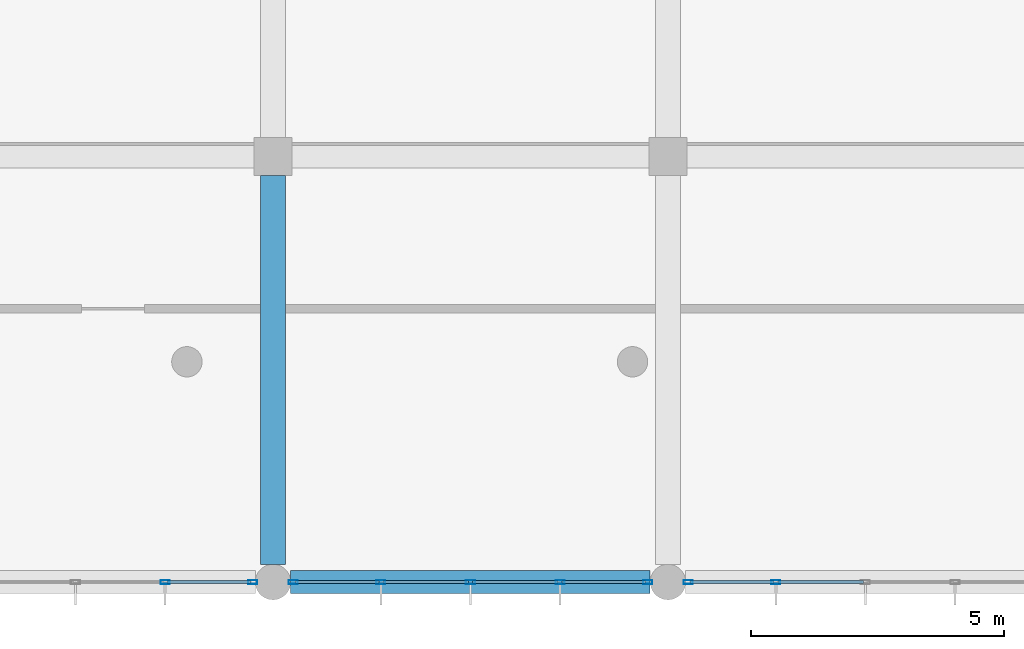
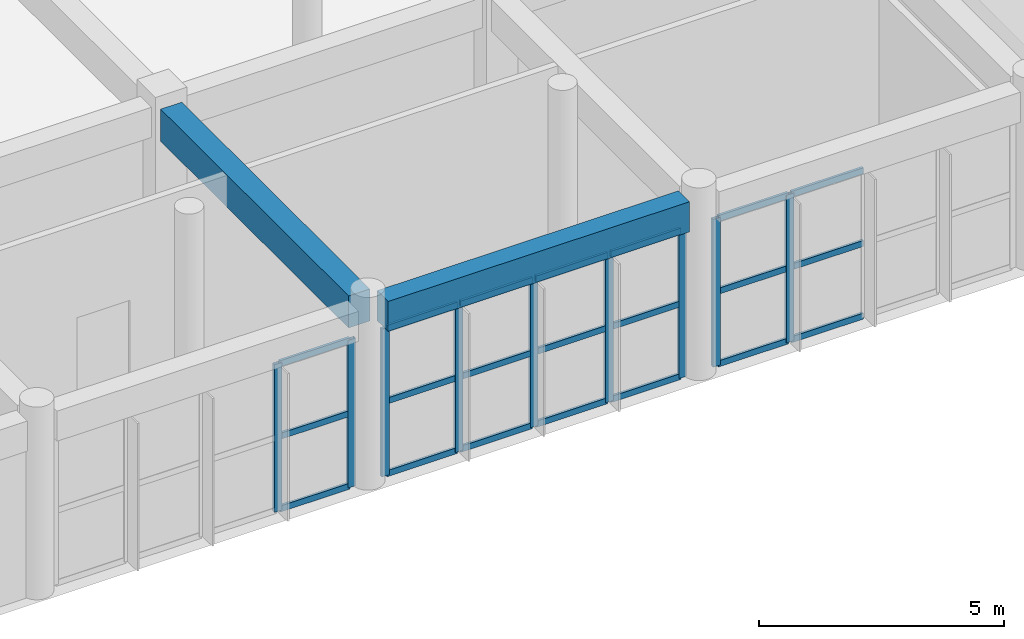
# One storey, part 14 of 175: 30 members, 2 beams, 3 elements without a shape of their own.
"""IFC4 building model written with IfcOpenShell, lengths in metres."""

from ifc_helpers import new_model, si_unit, direction, frame, origin, origin_2d, place, context, subcontext, project, spatial, rectangle, hollow_rectangle, extrude, material, layer, layer_set, material_profile, profile_set, type_object, element, aggregate, save


model = new_model("IFC4")

# Units and contexts
model_context = context("Model", 3, precision=1e-05, world=origin(), true_north=direction((0.0, 1.0)))
body_context = subcontext(model_context, "Body", "Model", "MODEL_VIEW")
ifc_project = project(units=[si_unit("LENGTHUNIT", "METRE"), si_unit("AREAUNIT", "SQUARE_METRE"), si_unit("VOLUMEUNIT", "CUBIC_METRE"), si_unit("PLANEANGLEUNIT", "RADIAN"), si_unit("MASSUNIT", "GRAM", prefix="KILO")], contexts=[model_context])

# Site, building, storey
site_placement = place(None, origin())
site = spatial("IfcSite", under=ifc_project, at=site_placement, CompositionType="ELEMENT")
building_placement = place(site_placement, origin())
building = spatial("IfcBuilding", under=site, at=building_placement, Name="Zizhar Promenade General Hospital", CompositionType="ELEMENT")
storey_placement = place(building_placement, frame((0.0, 0.0, 4.800048828125)))
storey = spatial("IfcBuildingStorey", under=building, at=storey_placement, Name="L01", CompositionType="ELEMENT", Elevation=4.800048828125)

# Beams
ifc_material_1 = material(Name="Concrete C35/45", Category="concrete")
ifc_material_profile_1 = material_profile(ifc_material_1, rectangle(XDim=0.449951171875, YDim=0.75, at=origin_2d()))
ifc_profile_set_1 = profile_set([ifc_material_profile_1], Name="Concrete C35/45")
beam_type_1 = type_object("IfcBeamType", Name="BM-RC-450x750", PredefinedType="BEAM", material=ifc_profile_set_1)
beam_1_placement = place(storey_placement, frame((31.550048828125, 0.0, 4.094970703125), z_axis=(1.0, 0.0, 0.0), x_axis=(0.0, 1.0, 0.0)))
element("IfcBeam", 1, at=beam_1_placement, inside=storey, type_object=beam_type_1, Name="Grid Beam X L01 (4-0)", PredefinedType="BEAM", context=body_context, shape_type="SweptSolid", body=[
    extrude(rectangle(XDim=0.449951171875, YDim=0.75, at=origin_2d()), origin(), (0.0, 0.0, 1.0), 7.099853515625),
])
ifc_material_2 = material(Name="Concrete C35/45", Category="concrete")
ifc_material_profile_2 = material_profile(ifc_material_2, rectangle(XDim=0.5, YDim=0.800048828125, at=origin_2d()))
ifc_profile_set_2 = profile_set([ifc_material_profile_2], Name="Concrete C35/45")
beam_type_2 = type_object("IfcBeamType", Name="BM-RC-500x800", PredefinedType="BEAM", material=ifc_profile_set_2)
beam_2_placement = place(storey_placement, frame((31.199951171875, 0.35009765625, 4.070068359375), z_axis=(0.0, 1.0, 0.0), x_axis=(-1.0, 0.0, 0.0)))
element("IfcBeam", 2, at=beam_2_placement, inside=storey, type_object=beam_type_2, Name="Grid Beam Y L01 (4-0)", PredefinedType="BEAM", context=body_context, shape_type="SweptSolid", body=[
    extrude(rectangle(XDim=0.5, YDim=0.800048828125, at=origin_2d()), origin(), (0.0, 0.0, 1.0), 7.6748046875),
])

# Curtain wall, members
ifc_material_3 = material(Name="Anodised aluminium 6063-T6 and low-E glass", Category="aluminium")
ifc_layer = layer(ifc_material_3, 0.159912109375)
ifc_layer_set = layer_set([ifc_layer], Name="Anodised aluminium 6063-T6 and low-E glass")
curtain_wall_type = type_object("IfcCurtainWallType", Name="CW-DT-MOD1", PredefinedType="NOTDEFINED", material=ifc_layer_set)
curtain_wall_1_placement = place(storey_placement, origin())
curtain_wall_1 = element("IfcCurtainWall", 3, at=curtain_wall_1_placement, inside=storey, type_object=curtain_wall_type, Name="Riverfront Clinical Curtain Wall L01-2", PredefinedType="NOTDEFINED")
ifc_material_4 = material(Name="Anodised aluminium 6063-T6", Category="aluminium")
ifc_material_profile_3 = material_profile(ifc_material_4, hollow_rectangle(XDim=0.080078125, YDim=0.179931640625, WallThickness=0.0048828125, at=origin_2d()))
ifc_profile_set_3 = profile_set([ifc_material_profile_3], Name="Anodised aluminium 6063-T6")
member_type_1 = type_object("IfcMemberType", Name="CWM-ALU-180x80", PredefinedType="MULLION", material=ifc_profile_set_3)
member_1_placement = place(storey_placement, frame((30.800048828125, 0.0, 0.0), z_axis=(0.0, 0.0, 1.0), x_axis=(0.0, -1.0, 0.0)))
member_1 = element("IfcMember", 4, at=member_1_placement, type_object=member_type_1, Name="CW-07 mullion 1", PredefinedType="MULLION", context=body_context, shape_type="SweptSolid", body=[
    extrude(hollow_rectangle(XDim=0.080078125, YDim=0.179931640625, WallThickness=0.0048828125, at=origin_2d()), origin(), (0.0, 0.0, 1.0), 3.679931640625),
])
member_2_placement = place(storey_placement, frame((29.070068359375, 0.0, 0.0), z_axis=(0.0, 0.0, 1.0), x_axis=(0.0, -1.0, 0.0)))
member_2 = element("IfcMember", 5, at=member_2_placement, type_object=member_type_1, Name="CW-07 mullion 2", PredefinedType="MULLION", context=body_context, shape_type="SweptSolid", body=[
    extrude(hollow_rectangle(XDim=0.080078125, YDim=0.179931640625, WallThickness=0.0048828125, at=origin_2d()), origin(), (0.0, 0.0, 1.0), 3.679931640625),
])

curtain_wall_2_placement = place(storey_placement, origin())
curtain_wall_2 = element("IfcCurtainWall", 6, at=curtain_wall_2_placement, inside=storey, type_object=curtain_wall_type, Name="Riverfront Clinical Curtain Wall L01-3", PredefinedType="NOTDEFINED")
member_3_placement = place(storey_placement, frame((38.60009765625, 0.0, 0.0), z_axis=(0.0, 0.0, 1.0), x_axis=(0.0, -1.0, 0.0)))
member_3 = element("IfcMember", 7, at=member_3_placement, type_object=member_type_1, Name="CW-07 mullion 1", PredefinedType="MULLION", context=body_context, shape_type="SweptSolid", body=[
    extrude(hollow_rectangle(XDim=0.080078125, YDim=0.179931640625, WallThickness=0.0048828125, at=origin_2d()), origin(), (0.0, 0.0, 1.0), 3.679931640625),
])
member_4_placement = place(storey_placement, frame((36.8701171875, 0.0, 0.0), z_axis=(0.0, 0.0, 1.0), x_axis=(0.0, -1.0, 0.0)))
member_4 = element("IfcMember", 8, at=member_4_placement, type_object=member_type_1, Name="CW-07 mullion 2", PredefinedType="MULLION", context=body_context, shape_type="SweptSolid", body=[
    extrude(hollow_rectangle(XDim=0.080078125, YDim=0.179931640625, WallThickness=0.0048828125, at=origin_2d()), origin(), (0.0, 0.0, 1.0), 3.679931640625),
])
member_5_placement = place(storey_placement, frame((35.10009765625, 0.0, 0.0), z_axis=(0.0, 0.0, 1.0), x_axis=(0.0, -1.0, 0.0)))
member_5 = element("IfcMember", 9, at=member_5_placement, type_object=member_type_1, Name="CW-07 mullion 3", PredefinedType="MULLION", context=body_context, shape_type="SweptSolid", body=[
    extrude(hollow_rectangle(XDim=0.080078125, YDim=0.179931640625, WallThickness=0.0048828125, at=origin_2d()), origin(), (0.0, 0.0, 1.0), 3.679931640625),
])
member_6_placement = place(storey_placement, frame((33.330078125, 0.0, 0.0), z_axis=(0.0, 0.0, 1.0), x_axis=(0.0, -1.0, 0.0)))
member_6 = element("IfcMember", 10, at=member_6_placement, type_object=member_type_1, Name="CW-07 mullion 4", PredefinedType="MULLION", context=body_context, shape_type="SweptSolid", body=[
    extrude(hollow_rectangle(XDim=0.080078125, YDim=0.179931640625, WallThickness=0.0048828125, at=origin_2d()), origin(), (0.0, 0.0, 1.0), 3.679931640625),
])
member_7_placement = place(storey_placement, frame((31.60009765625, 0.0, 0.0), z_axis=(0.0, 0.0, 1.0), x_axis=(0.0, -1.0, 0.0)))
member_7 = element("IfcMember", 11, at=member_7_placement, type_object=member_type_1, Name="CW-07 mullion 5", PredefinedType="MULLION", context=body_context, shape_type="SweptSolid", body=[
    extrude(hollow_rectangle(XDim=0.080078125, YDim=0.179931640625, WallThickness=0.0048828125, at=origin_2d()), origin(), (0.0, 0.0, 1.0), 3.679931640625),
])

curtain_wall_3_placement = place(storey_placement, origin())
curtain_wall_3 = element("IfcCurtainWall", 12, at=curtain_wall_3_placement, inside=storey, type_object=curtain_wall_type, Name="Riverfront Clinical Curtain Wall L01-4", PredefinedType="NOTDEFINED")
member_8_placement = place(storey_placement, frame((41.1298828125, 0.0, 0.0), z_axis=(0.0, 0.0, 1.0), x_axis=(0.0, -1.0, 0.0)))
member_8 = element("IfcMember", 13, at=member_8_placement, type_object=member_type_1, Name="CW-07 mullion 4", PredefinedType="MULLION", context=body_context, shape_type="SweptSolid", body=[
    extrude(hollow_rectangle(XDim=0.080078125, YDim=0.179931640625, WallThickness=0.0048828125, at=origin_2d()), origin(), (0.0, 0.0, 1.0), 3.679931640625),
])
member_9_placement = place(storey_placement, frame((39.39990234375, 0.0, 0.0), z_axis=(0.0, 0.0, 1.0), x_axis=(0.0, -1.0, 0.0)))
member_9 = element("IfcMember", 14, at=member_9_placement, type_object=member_type_1, Name="CW-07 mullion 5", PredefinedType="MULLION", context=body_context, shape_type="SweptSolid", body=[
    extrude(hollow_rectangle(XDim=0.080078125, YDim=0.179931640625, WallThickness=0.0048828125, at=origin_2d()), origin(), (0.0, 0.0, 1.0), 3.679931640625),
])

# Member
ifc_material_5 = material(Name="Anodised aluminium 6063-T6", Category="aluminium")
ifc_material_profile_4 = material_profile(ifc_material_5, hollow_rectangle(XDim=0.06005859375, YDim=0.14990234375, WallThickness=0.00390625, at=origin_2d()))
ifc_profile_set_4 = profile_set([ifc_material_profile_4], Name="Anodised aluminium 6063-T6")
member_type_2 = type_object("IfcMemberType", Name="CWT-ALU-150x60", PredefinedType="USERDEFINED", material=ifc_profile_set_4)
member_10_placement = place(storey_placement, frame((30.760009765625, 0.0, 0.030029296875), z_axis=(-1.0, 0.0, 0.0), x_axis=(0.0, -1.0, 0.0)))
member_10 = element("IfcMember", 15, at=member_10_placement, type_object=member_type_2, Name="CW-07 transom 1.1", ObjectType="TRANSOM", PredefinedType="USERDEFINED", context=body_context, shape_type="SweptSolid", body=[
    extrude(hollow_rectangle(XDim=0.06005859375, YDim=0.14990234375, WallThickness=0.00390625, at=origin_2d()), origin(), (0.0, 0.0, 1.0), 1.64990234375),
])

member_11_placement = place(storey_placement, frame((30.760009765625, 0.0, 1.83984375), z_axis=(-1.0, 0.0, 0.0), x_axis=(0.0, -1.0, 0.0)))
member_11 = element("IfcMember", 16, at=member_11_placement, type_object=member_type_2, Name="CW-07 transom 1.2", ObjectType="TRANSOM", PredefinedType="USERDEFINED", context=body_context, shape_type="SweptSolid", body=[
    extrude(hollow_rectangle(XDim=0.06005859375, YDim=0.14990234375, WallThickness=0.00390625, at=origin_2d()), origin(), (0.0, 0.0, 1.0), 1.64990234375),
])

member_12_placement = place(storey_placement, frame((30.760009765625, 0.0, 3.64990234375), z_axis=(-1.0, 0.0, 0.0), x_axis=(0.0, -1.0, 0.0)))
member_12 = element("IfcMember", 17, at=member_12_placement, type_object=member_type_2, Name="CW-07 transom 1.3", ObjectType="TRANSOM", PredefinedType="USERDEFINED", context=body_context, shape_type="SweptSolid", body=[
    extrude(hollow_rectangle(XDim=0.06005859375, YDim=0.14990234375, WallThickness=0.00390625, at=origin_2d()), origin(), (0.0, 0.0, 1.0), 1.64990234375),
])

aggregate(curtain_wall_1, [member_1, member_2, member_10, member_11, member_12])

member_13_placement = place(storey_placement, frame((38.56005859375, 0.0, 0.030029296875), z_axis=(-1.0, 0.0, 0.0), x_axis=(0.0, -1.0, 0.0)))
member_13 = element("IfcMember", 18, at=member_13_placement, type_object=member_type_2, Name="CW-07 transom 1.1", ObjectType="TRANSOM", PredefinedType="USERDEFINED", context=body_context, shape_type="SweptSolid", body=[
    extrude(hollow_rectangle(XDim=0.06005859375, YDim=0.14990234375, WallThickness=0.00390625, at=origin_2d()), origin(), (0.0, 0.0, 1.0), 1.650146484375),
])

member_14_placement = place(storey_placement, frame((38.56005859375, 0.0, 1.83984375), z_axis=(-1.0, 0.0, 0.0), x_axis=(0.0, -1.0, 0.0)))
member_14 = element("IfcMember", 19, at=member_14_placement, type_object=member_type_2, Name="CW-07 transom 1.2", ObjectType="TRANSOM", PredefinedType="USERDEFINED", context=body_context, shape_type="SweptSolid", body=[
    extrude(hollow_rectangle(XDim=0.06005859375, YDim=0.14990234375, WallThickness=0.00390625, at=origin_2d()), origin(), (0.0, 0.0, 1.0), 1.650146484375),
])

member_15_placement = place(storey_placement, frame((38.56005859375, 0.0, 3.64990234375), z_axis=(-1.0, 0.0, 0.0), x_axis=(0.0, -1.0, 0.0)))
member_15 = element("IfcMember", 20, at=member_15_placement, type_object=member_type_2, Name="CW-07 transom 1.3", ObjectType="TRANSOM", PredefinedType="USERDEFINED", context=body_context, shape_type="SweptSolid", body=[
    extrude(hollow_rectangle(XDim=0.06005859375, YDim=0.14990234375, WallThickness=0.00390625, at=origin_2d()), origin(), (0.0, 0.0, 1.0), 1.650146484375),
])

member_16_placement = place(storey_placement, frame((36.830078125, 0.0, 0.030029296875), z_axis=(-1.0, 0.0, 0.0), x_axis=(0.0, -1.0, 0.0)))
member_16 = element("IfcMember", 21, at=member_16_placement, type_object=member_type_2, Name="CW-07 transom 2.1", ObjectType="TRANSOM", PredefinedType="USERDEFINED", context=body_context, shape_type="SweptSolid", body=[
    extrude(hollow_rectangle(XDim=0.06005859375, YDim=0.14990234375, WallThickness=0.00390625, at=origin_2d()), origin(), (0.0, 0.0, 1.0), 1.690185546875),
])

member_17_placement = place(storey_placement, frame((36.830078125, 0.0, 1.83984375), z_axis=(-1.0, 0.0, 0.0), x_axis=(0.0, -1.0, 0.0)))
member_17 = element("IfcMember", 22, at=member_17_placement, type_object=member_type_2, Name="CW-07 transom 2.2", ObjectType="TRANSOM", PredefinedType="USERDEFINED", context=body_context, shape_type="SweptSolid", body=[
    extrude(hollow_rectangle(XDim=0.06005859375, YDim=0.14990234375, WallThickness=0.00390625, at=origin_2d()), origin(), (0.0, 0.0, 1.0), 1.690185546875),
])

member_18_placement = place(storey_placement, frame((36.830078125, 0.0, 3.64990234375), z_axis=(-1.0, 0.0, 0.0), x_axis=(0.0, -1.0, 0.0)))
member_18 = element("IfcMember", 23, at=member_18_placement, type_object=member_type_2, Name="CW-07 transom 2.3", ObjectType="TRANSOM", PredefinedType="USERDEFINED", context=body_context, shape_type="SweptSolid", body=[
    extrude(hollow_rectangle(XDim=0.06005859375, YDim=0.14990234375, WallThickness=0.00390625, at=origin_2d()), origin(), (0.0, 0.0, 1.0), 1.690185546875),
])

member_19_placement = place(storey_placement, frame((35.06005859375, 0.0, 0.030029296875), z_axis=(-1.0, 0.0, 0.0), x_axis=(0.0, -1.0, 0.0)))
member_19 = element("IfcMember", 24, at=member_19_placement, type_object=member_type_2, Name="CW-07 transom 3.1", ObjectType="TRANSOM", PredefinedType="USERDEFINED", context=body_context, shape_type="SweptSolid", body=[
    extrude(hollow_rectangle(XDim=0.06005859375, YDim=0.14990234375, WallThickness=0.00390625, at=origin_2d()), origin(), (0.0, 0.0, 1.0), 1.68994140625),
])

member_20_placement = place(storey_placement, frame((35.06005859375, 0.0, 1.83984375), z_axis=(-1.0, 0.0, 0.0), x_axis=(0.0, -1.0, 0.0)))
member_20 = element("IfcMember", 25, at=member_20_placement, type_object=member_type_2, Name="CW-07 transom 3.2", ObjectType="TRANSOM", PredefinedType="USERDEFINED", context=body_context, shape_type="SweptSolid", body=[
    extrude(hollow_rectangle(XDim=0.06005859375, YDim=0.14990234375, WallThickness=0.00390625, at=origin_2d()), origin(), (0.0, 0.0, 1.0), 1.68994140625),
])

member_21_placement = place(storey_placement, frame((35.06005859375, 0.0, 3.64990234375), z_axis=(-1.0, 0.0, 0.0), x_axis=(0.0, -1.0, 0.0)))
member_21 = element("IfcMember", 26, at=member_21_placement, type_object=member_type_2, Name="CW-07 transom 3.3", ObjectType="TRANSOM", PredefinedType="USERDEFINED", context=body_context, shape_type="SweptSolid", body=[
    extrude(hollow_rectangle(XDim=0.06005859375, YDim=0.14990234375, WallThickness=0.00390625, at=origin_2d()), origin(), (0.0, 0.0, 1.0), 1.68994140625),
])

member_22_placement = place(storey_placement, frame((33.2900390625, 0.0, 0.030029296875), z_axis=(-1.0, 0.0, 0.0), x_axis=(0.0, -1.0, 0.0)))
member_22 = element("IfcMember", 27, at=member_22_placement, type_object=member_type_2, Name="CW-07 transom 4.1", ObjectType="TRANSOM", PredefinedType="USERDEFINED", context=body_context, shape_type="SweptSolid", body=[
    extrude(hollow_rectangle(XDim=0.06005859375, YDim=0.14990234375, WallThickness=0.00390625, at=origin_2d()), origin(), (0.0, 0.0, 1.0), 1.650146484375),
])

member_23_placement = place(storey_placement, frame((33.2900390625, 0.0, 1.83984375), z_axis=(-1.0, 0.0, 0.0), x_axis=(0.0, -1.0, 0.0)))
member_23 = element("IfcMember", 28, at=member_23_placement, type_object=member_type_2, Name="CW-07 transom 4.2", ObjectType="TRANSOM", PredefinedType="USERDEFINED", context=body_context, shape_type="SweptSolid", body=[
    extrude(hollow_rectangle(XDim=0.06005859375, YDim=0.14990234375, WallThickness=0.00390625, at=origin_2d()), origin(), (0.0, 0.0, 1.0), 1.650146484375),
])

member_24_placement = place(storey_placement, frame((33.2900390625, 0.0, 3.64990234375), z_axis=(-1.0, 0.0, 0.0), x_axis=(0.0, -1.0, 0.0)))
member_24 = element("IfcMember", 29, at=member_24_placement, type_object=member_type_2, Name="CW-07 transom 4.3", ObjectType="TRANSOM", PredefinedType="USERDEFINED", context=body_context, shape_type="SweptSolid", body=[
    extrude(hollow_rectangle(XDim=0.06005859375, YDim=0.14990234375, WallThickness=0.00390625, at=origin_2d()), origin(), (0.0, 0.0, 1.0), 1.650146484375),
])

aggregate(curtain_wall_2, [member_3, member_4, member_5, member_6, member_7, member_13, member_14, member_15, member_16, member_17, member_18, member_19, member_20, member_21, member_22, member_23, member_24])

member_25_placement = place(storey_placement, frame((42.860107421875, 0.0, 0.030029296875), z_axis=(-1.0, 0.0, 0.0), x_axis=(0.0, -1.0, 0.0)))
member_25 = element("IfcMember", 30, at=member_25_placement, type_object=member_type_2, Name="CW-07 transom 3.1", ObjectType="TRANSOM", PredefinedType="USERDEFINED", context=body_context, shape_type="SweptSolid", body=[
    extrude(hollow_rectangle(XDim=0.06005859375, YDim=0.14990234375, WallThickness=0.00390625, at=origin_2d()), origin(), (0.0, 0.0, 1.0), 1.690185546875),
])

member_26_placement = place(storey_placement, frame((42.860107421875, 0.0, 1.83984375), z_axis=(-1.0, 0.0, 0.0), x_axis=(0.0, -1.0, 0.0)))
member_26 = element("IfcMember", 31, at=member_26_placement, type_object=member_type_2, Name="CW-07 transom 3.2", ObjectType="TRANSOM", PredefinedType="USERDEFINED", context=body_context, shape_type="SweptSolid", body=[
    extrude(hollow_rectangle(XDim=0.06005859375, YDim=0.14990234375, WallThickness=0.00390625, at=origin_2d()), origin(), (0.0, 0.0, 1.0), 1.690185546875),
])

member_27_placement = place(storey_placement, frame((42.860107421875, 0.0, 3.64990234375), z_axis=(-1.0, 0.0, 0.0), x_axis=(0.0, -1.0, 0.0)))
member_27 = element("IfcMember", 32, at=member_27_placement, type_object=member_type_2, Name="CW-07 transom 3.3", ObjectType="TRANSOM", PredefinedType="USERDEFINED", context=body_context, shape_type="SweptSolid", body=[
    extrude(hollow_rectangle(XDim=0.06005859375, YDim=0.14990234375, WallThickness=0.00390625, at=origin_2d()), origin(), (0.0, 0.0, 1.0), 1.690185546875),
])

member_28_placement = place(storey_placement, frame((41.090087890625, 0.0, 0.030029296875), z_axis=(-1.0, 0.0, 0.0), x_axis=(0.0, -1.0, 0.0)))
member_28 = element("IfcMember", 33, at=member_28_placement, type_object=member_type_2, Name="CW-07 transom 4.1", ObjectType="TRANSOM", PredefinedType="USERDEFINED", context=body_context, shape_type="SweptSolid", body=[
    extrude(hollow_rectangle(XDim=0.06005859375, YDim=0.14990234375, WallThickness=0.00390625, at=origin_2d()), origin(), (0.0, 0.0, 1.0), 1.650146484375),
])

member_29_placement = place(storey_placement, frame((41.090087890625, 0.0, 1.83984375), z_axis=(-1.0, 0.0, 0.0), x_axis=(0.0, -1.0, 0.0)))
member_29 = element("IfcMember", 34, at=member_29_placement, type_object=member_type_2, Name="CW-07 transom 4.2", ObjectType="TRANSOM", PredefinedType="USERDEFINED", context=body_context, shape_type="SweptSolid", body=[
    extrude(hollow_rectangle(XDim=0.06005859375, YDim=0.14990234375, WallThickness=0.00390625, at=origin_2d()), origin(), (0.0, 0.0, 1.0), 1.650146484375),
])

member_30_placement = place(storey_placement, frame((41.090087890625, 0.0, 3.64990234375), z_axis=(-1.0, 0.0, 0.0), x_axis=(0.0, -1.0, 0.0)))
member_30 = element("IfcMember", 35, at=member_30_placement, type_object=member_type_2, Name="CW-07 transom 4.3", ObjectType="TRANSOM", PredefinedType="USERDEFINED", context=body_context, shape_type="SweptSolid", body=[
    extrude(hollow_rectangle(XDim=0.06005859375, YDim=0.14990234375, WallThickness=0.00390625, at=origin_2d()), origin(), (0.0, 0.0, 1.0), 1.650146484375),
])

aggregate(curtain_wall_3, [member_8, member_9, member_25, member_26, member_27, member_28, member_29, member_30])

save(model, "model.ifc")
